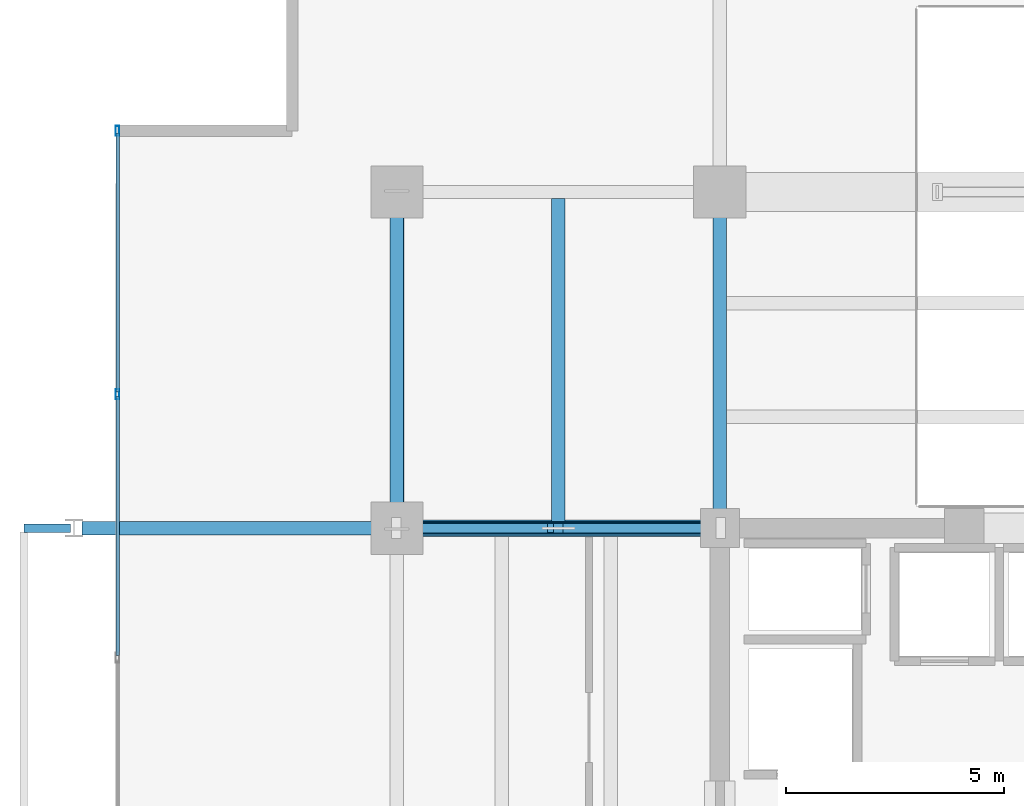
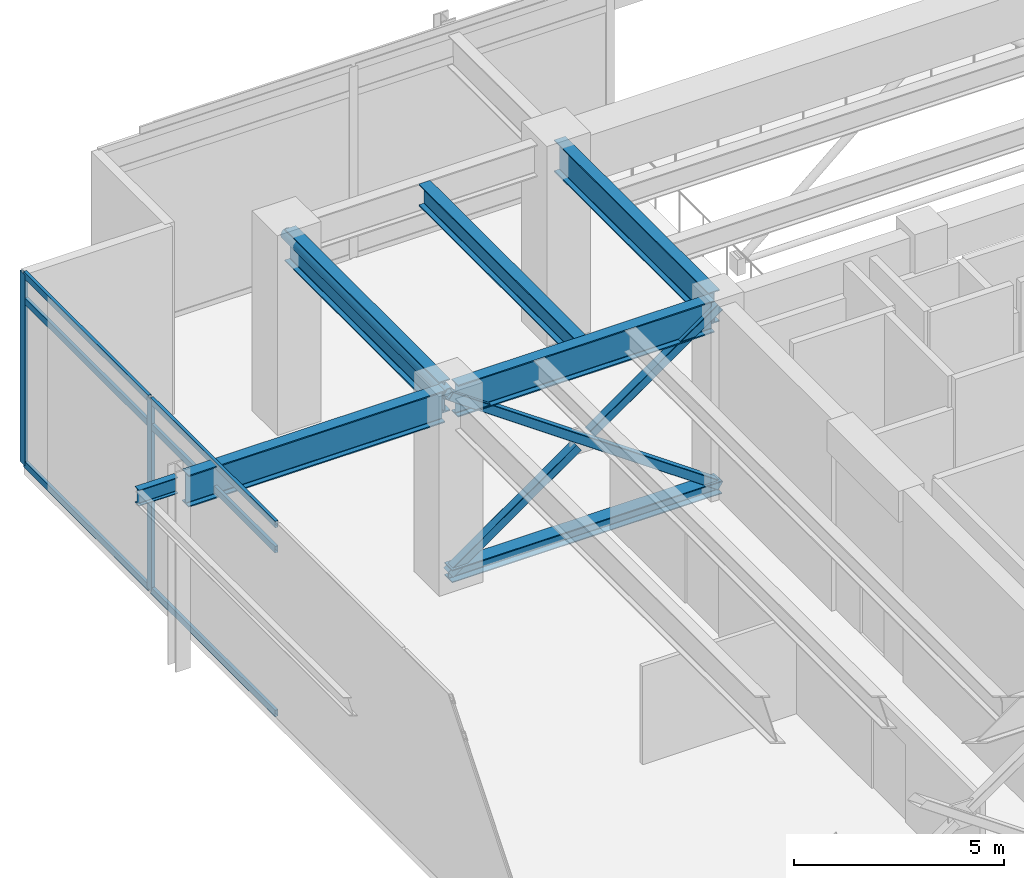
# One storey, part 12 of 26: 13 members, 6 beams, 1 element without a shape of its own.
"""IFC4 building model written with IfcOpenShell, lengths in metres."""

from ifc_helpers import new_model, si_unit, direction, frame, origin, origin_2d, place, context, subcontext, project, spatial, hollow_rectangle, hollow_circle, i_section, extrude, material, material_profile, profile_set, type_object, element, aggregate, save


model = new_model("IFC4")

# Units and contexts
model_context = context("Model", 3, precision=1e-05, world=origin(), true_north=direction((0.0, 1.0)))
body_context = subcontext(model_context, "Body", "Model", "MODEL_VIEW")
ifc_project = project(units=[si_unit("LENGTHUNIT", "METRE"), si_unit("AREAUNIT", "SQUARE_METRE"), si_unit("VOLUMEUNIT", "CUBIC_METRE"), si_unit("PLANEANGLEUNIT", "RADIAN"), si_unit("MASSUNIT", "GRAM", prefix="KILO")], contexts=[model_context])

# Site, building, storey
site_placement = place(None, origin())
site = spatial("IfcSite", under=ifc_project, at=site_placement, CompositionType="ELEMENT")
building_placement = place(site_placement, origin())
building = spatial("IfcBuilding", under=site, at=building_placement, Name="Kovane Verandah Tower", CompositionType="ELEMENT")
storey_placement = place(building_placement, frame((0.0, 0.0, 301.0)))
storey = spatial("IfcBuildingStorey", under=building, at=storey_placement, Name="L70", CompositionType="ELEMENT", Elevation=301.0)

# Beams
ifc_material_1 = material(Name="Steel S460", Category="steel")
ifc_material_profile_1 = material_profile(ifc_material_1, i_section(OverallWidth=0.311279296875, OverallDepth=0.6357421875, WebThickness=0.018310546875, FlangeThickness=0.031494140625, FilletRadius=0.0166015625, at=origin_2d()), Name="UB610x305x238")
ifc_profile_set_1 = profile_set([ifc_material_profile_1], Name="Steel S460")
beam_type_1 = type_object("IfcBeamType", Name="BM-UB610x238", PredefinedType="BEAM", material=ifc_profile_set_1)
beam_1_placement = place(storey_placement, frame((25.300048828125, 36.65185546875, 5.26708984375), z_axis=(0.0, 1.0, 0.0), x_axis=(-1.0, 0.0, 0.0)))
element("IfcBeam", 1, at=beam_1_placement, inside=storey, type_object=beam_type_1, Name="L70 Secondary Composite Joist J-NW1", PredefinedType="BEAM", context=body_context, shape_type="SweptSolid", body=[
    extrude(i_section(OverallWidth=0.311279296875, OverallDepth=0.6357421875, WebThickness=0.018310546875, FlangeThickness=0.031494140625, FilletRadius=0.0166015625, at=origin_2d()), origin(), (0.0, 0.0, 1.0), 7.396240234375),
])
ifc_material_profile_2 = material_profile(ifc_material_1, i_section(OverallWidth=0.3076171875, OverallDepth=0.926513671875, WebThickness=0.01953125, FlangeThickness=0.031982421875, FilletRadius=0.01904296875, at=origin_2d()), Name="UB914x305x289")
ifc_profile_set_2 = profile_set([ifc_material_profile_2], Name="Steel S460")
beam_type_2 = type_object("IfcBeamType", Name="BM-UB914x289", PredefinedType="BEAM", material=ifc_profile_set_2)
beam_2_placement = place(storey_placement, frame((21.60009765625, 36.679931640625, 5.12158203125), z_axis=(0.0, 1.0, 0.0), x_axis=(-1.0, 0.0, 0.0)))
element("IfcBeam", 2, at=beam_2_placement, inside=storey, type_object=beam_type_2, Name="L70 Primary Tower Girder G-RW3", PredefinedType="BEAM", context=body_context, shape_type="SweptSolid", body=[
    extrude(i_section(OverallWidth=0.3076171875, OverallDepth=0.926513671875, WebThickness=0.01953125, FlangeThickness=0.031982421875, FilletRadius=0.01904296875, at=origin_2d()), origin(), (0.0, 0.0, 1.0), 7.340087890625),
])
beam_3_placement = place(storey_placement, frame((28.820068359375, 36.5, 5.12158203125), z_axis=(-1.0, 0.0, 0.0), x_axis=(0.0, -1.0, 0.0)))
element("IfcBeam", 3, at=beam_3_placement, inside=storey, type_object=beam_type_2, Name="L70 Primary Tower Girder G-W2", PredefinedType="BEAM", context=body_context, shape_type="SweptSolid", body=[
    extrude(i_section(OverallWidth=0.3076171875, OverallDepth=0.926513671875, WebThickness=0.01953125, FlangeThickness=0.031982421875, FilletRadius=0.01904296875, at=origin_2d()), origin(), (0.0, 0.0, 1.0), 7.0400390625),
])
beam_4_placement = place(storey_placement, frame((29.0, 36.679931640625, 5.12158203125), z_axis=(0.0, 1.0, 0.0), x_axis=(-1.0, 0.0, 0.0)))
element("IfcBeam", 4, at=beam_4_placement, inside=storey, type_object=beam_type_2, Name="L70 Primary Tower Girder G-N1", PredefinedType="BEAM", context=body_context, shape_type="SweptSolid", body=[
    extrude(i_section(OverallWidth=0.3076171875, OverallDepth=0.926513671875, WebThickness=0.01953125, FlangeThickness=0.031982421875, FilletRadius=0.01904296875, at=origin_2d()), origin(), (0.0, 0.0, 1.0), 7.340087890625),
])
beam_5_placement = place(storey_placement, frame((21.419921875, 36.5, 5.0966796875), z_axis=(-1.0, 0.0, 0.0), x_axis=(0.0, -1.0, 0.0)))
element("IfcBeam", 5, at=beam_5_placement, inside=storey, type_object=beam_type_2, Name="L70 Primary Tower Girder G-VW2", PredefinedType="BEAM", context=body_context, shape_type="SweptSolid", body=[
    extrude(i_section(OverallWidth=0.3076171875, OverallDepth=0.926513671875, WebThickness=0.01953125, FlangeThickness=0.031982421875, FilletRadius=0.01904296875, at=origin_2d()), origin(), (0.0, 0.0, 1.0), 7.0400390625),
])

# Curtain wall, members
ifc_material_2 = material(Name="Champagne Anodised Aluminium Frame with Low-E Clear Laminated Glass", Category="aluminium")
curtain_wall_type = type_object("IfcCurtainWallType", Name="CW-SYS-05-HIGH", PredefinedType="NOTDEFINED", material=ifc_material_2)
curtain_wall_placement = place(storey_placement, origin())
curtain_wall = element("IfcCurtainWall", 6, at=curtain_wall_placement, inside=storey, type_object=curtain_wall_type, Name="L70 W Unitised Curtain Wall", PredefinedType="NOTDEFINED")
ifc_material_3 = material(Name="Champagne Anodised Aluminium 6063-T6", Category="aluminium")
ifc_material_profile_3 = material_profile(ifc_material_3, hollow_rectangle(XDim=0.0849609375, YDim=0.22998046875, WallThickness=0.00390625, at=origin_2d()), Name="AL85x230x4")
ifc_profile_set_3 = profile_set([ifc_material_profile_3], Name="Champagne Anodised Aluminium 6063-T6")
member_type_1 = type_object("IfcMemberType", Name="CW-MUL-85x230", PredefinedType="MULLION", material=ifc_profile_set_3)
member_1_placement = place(storey_placement, frame((15.199951171875, 45.60009765625, 0.02001953125), z_axis=(0.0, 0.0, 1.0), x_axis=(-1.0, 0.0, 0.0)))
member_1 = element("IfcMember", 7, at=member_1_placement, type_object=member_type_1, Name="L70 W Unitised Curtain Wall Mullion 1", PredefinedType="MULLION", context=body_context, shape_type="SweptSolid", body=[
    extrude(hollow_rectangle(XDim=0.0849609375, YDim=0.22998046875, WallThickness=0.00390625, at=origin_2d()), origin(), (0.0, 0.0, 1.0), 5.544921875),
])
member_2_placement = place(storey_placement, frame((15.199951171875, 39.566650390625, 0.02001953125), z_axis=(0.0, 0.0, 1.0), x_axis=(-1.0, 0.0, 0.0)))
member_2 = element("IfcMember", 8, at=member_2_placement, type_object=member_type_1, Name="L70 W Unitised Curtain Wall Mullion 2", PredefinedType="MULLION", context=body_context, shape_type="SweptSolid", body=[
    extrude(hollow_rectangle(XDim=0.0849609375, YDim=0.22998046875, WallThickness=0.00390625, at=origin_2d()), origin(), (0.0, 0.0, 1.0), 5.544921875),
])
ifc_material_profile_4 = material_profile(ifc_material_3, hollow_rectangle(XDim=0.0849609375, YDim=0.18994140625, WallThickness=0.00390625, at=origin_2d()), Name="AL85x190x4")
ifc_profile_set_4 = profile_set([ifc_material_profile_4], Name="Champagne Anodised Aluminium 6063-T6")
member_type_2 = type_object("IfcMemberType", Name="CW-TRN-85x190", PredefinedType="USERDEFINED", material=ifc_profile_set_4)
member_3_placement = place(storey_placement, frame((15.199951171875, 45.550048828125, 0.050048828125), z_axis=(0.0, -1.0, 0.0), x_axis=(1.0, 0.0, 0.0)))
member_3 = element("IfcMember", 9, at=member_3_placement, type_object=member_type_2, Name="L70 W Unitised Curtain Wall Transom TB Bay 1", ObjectType="TRANSOM", PredefinedType="USERDEFINED", context=body_context, shape_type="SweptSolid", body=[
    extrude(hollow_rectangle(XDim=0.0849609375, YDim=0.18994140625, WallThickness=0.00390625, at=origin_2d()), origin(), (0.0, 0.0, 1.0), 5.933349609375),
])
member_4_placement = place(storey_placement, frame((15.199951171875, 45.550048828125, 4.804931640625), z_axis=(0.0, -1.0, 0.0), x_axis=(1.0, 0.0, 0.0)))
member_4 = element("IfcMember", 10, at=member_4_placement, type_object=member_type_2, Name="L70 W Unitised Curtain Wall Transom TM Bay 1", ObjectType="TRANSOM", PredefinedType="USERDEFINED", context=body_context, shape_type="SweptSolid", body=[
    extrude(hollow_rectangle(XDim=0.0849609375, YDim=0.18994140625, WallThickness=0.00390625, at=origin_2d()), origin(), (0.0, 0.0, 1.0), 5.933349609375),
])
member_5_placement = place(storey_placement, frame((15.199951171875, 45.550048828125, 5.534912109375), z_axis=(0.0, -1.0, 0.0), x_axis=(1.0, 0.0, 0.0)))
member_5 = element("IfcMember", 11, at=member_5_placement, type_object=member_type_2, Name="L70 W Unitised Curtain Wall Transom TT Bay 1", ObjectType="TRANSOM", PredefinedType="USERDEFINED", context=body_context, shape_type="SweptSolid", body=[
    extrude(hollow_rectangle(XDim=0.0849609375, YDim=0.18994140625, WallThickness=0.00390625, at=origin_2d()), origin(), (0.0, 0.0, 1.0), 5.933349609375),
])
member_6_placement = place(storey_placement, frame((15.199951171875, 39.5166015625, 0.050048828125), z_axis=(0.0, -1.0, 0.0), x_axis=(1.0, 0.0, 0.0)))
member_6 = element("IfcMember", 12, at=member_6_placement, type_object=member_type_2, Name="L70 W Unitised Curtain Wall Transom TB Bay 2", ObjectType="TRANSOM", PredefinedType="USERDEFINED", context=body_context, shape_type="SweptSolid", body=[
    extrude(hollow_rectangle(XDim=0.0849609375, YDim=0.18994140625, WallThickness=0.00390625, at=origin_2d()), origin(), (0.0, 0.0, 1.0), 5.933349609375),
])
member_7_placement = place(storey_placement, frame((15.199951171875, 39.5166015625, 4.804931640625), z_axis=(0.0, -1.0, 0.0), x_axis=(1.0, 0.0, 0.0)))
member_7 = element("IfcMember", 13, at=member_7_placement, type_object=member_type_2, Name="L70 W Unitised Curtain Wall Transom TM Bay 2", ObjectType="TRANSOM", PredefinedType="USERDEFINED", context=body_context, shape_type="SweptSolid", body=[
    extrude(hollow_rectangle(XDim=0.0849609375, YDim=0.18994140625, WallThickness=0.00390625, at=origin_2d()), origin(), (0.0, 0.0, 1.0), 5.933349609375),
])
member_8_placement = place(storey_placement, frame((15.199951171875, 39.5166015625, 5.534912109375), z_axis=(0.0, -1.0, 0.0), x_axis=(1.0, 0.0, 0.0)))
member_8 = element("IfcMember", 14, at=member_8_placement, type_object=member_type_2, Name="L70 W Unitised Curtain Wall Transom TT Bay 2", ObjectType="TRANSOM", PredefinedType="USERDEFINED", context=body_context, shape_type="SweptSolid", body=[
    extrude(hollow_rectangle(XDim=0.0849609375, YDim=0.18994140625, WallThickness=0.00390625, at=origin_2d()), origin(), (0.0, 0.0, 1.0), 5.933349609375),
])
aggregate(curtain_wall, [member_1, member_2, member_3, member_4, member_5, member_6, member_7, member_8])

# Beam
ifc_material_4 = material(Name="Steel S355", Category="steel")
ifc_material_profile_5 = material_profile(ifc_material_4, i_section(OverallWidth=0.19287109375, OverallDepth=0.46728515625, WebThickness=0.011474609375, FlangeThickness=0.01953125, FilletRadius=0.01025390625, at=origin_2d()), Name="UB457x191x98")
ifc_profile_set_5 = profile_set([ifc_material_profile_5], Name="Steel S355")
beam_type_3 = type_object("IfcBeamType", Name="JST-UB457x98", PredefinedType="JOIST", material=ifc_profile_set_5)
beam_6_placement = place(storey_placement, frame((14.1201171875, 36.5, 5.326416015625), z_axis=(-1.0, 0.0, 0.0), x_axis=(0.0, -1.0, 0.0)))
element("IfcBeam", 15, at=beam_6_placement, inside=storey, type_object=beam_type_3, Name="L70 West Planter Girder 2", PredefinedType="JOIST", context=body_context, shape_type="SweptSolid", body=[
    extrude(i_section(OverallWidth=0.19287109375, OverallDepth=0.46728515625, WebThickness=0.011474609375, FlangeThickness=0.01953125, FilletRadius=0.01025390625, at=origin_2d()), origin(), (0.0, 0.0, 1.0), 1.070068359375),
])

# Members
ifc_material_profile_6 = material_profile(ifc_material_4, hollow_rectangle(XDim=0.25, YDim=0.25, WallThickness=0.012451171875, InnerFilletRadius=0.012451171875, OuterFilletRadius=0.02490234375, at=origin_2d()), Name="SHS250x250x12.5")
ifc_profile_set_6 = profile_set([ifc_material_profile_6], Name="Steel S355")
member_type_3 = type_object("IfcMemberType", Name="MEM-BR-SHS250", PredefinedType="BRACE", material=ifc_profile_set_6)
member_9_placement = place(storey_placement, frame((29.0, 36.5, 0.1201171875), z_axis=(-0.818977960496, 0.0, 0.573824973509), x_axis=(0.0, -1.0, 0.0)))
element("IfcMember", 16, at=member_9_placement, inside=storey, type_object=member_type_3, Name="L70 Outrigger Continuous Diagonal OW2", PredefinedType="BRACE", context=body_context, shape_type="SweptSolid", body=[
    extrude(hollow_rectangle(XDim=0.25, YDim=0.25, WallThickness=0.012451171875, InnerFilletRadius=0.012451171875, OuterFilletRadius=0.02490234375, at=origin_2d()), origin(), (0.0, 0.0, 1.0), 9.03564453125),
])
member_10_placement = place(storey_placement, frame((21.60009765625, 36.5, 0.1201171875), z_axis=(0.818988986866, 0.0, 0.573809236064), x_axis=(0.0, 1.0, 0.0)))
element("IfcMember", 17, at=member_10_placement, inside=storey, type_object=member_type_3, Name="L70 Outrigger Split Diagonal Lower OW2", PredefinedType="BRACE", context=body_context, shape_type="SweptSolid", body=[
    extrude(hollow_rectangle(XDim=0.25, YDim=0.25, WallThickness=0.012451171875, InnerFilletRadius=0.012451171875, OuterFilletRadius=0.02490234375, at=origin_2d()), origin(), (0.0, 0.0, 1.0), 4.297607421875),
])
member_11_placement = place(storey_placement, frame((25.480224609375, 36.5, 2.838623046875), z_axis=(0.818962290692, 0.0, 0.573847337211), x_axis=(0.0, 1.0, 0.0)))
element("IfcMember", 18, at=member_11_placement, inside=storey, type_object=member_type_3, Name="L70 Outrigger Split Diagonal Upper OW2", PredefinedType="BRACE", context=body_context, shape_type="SweptSolid", body=[
    extrude(hollow_rectangle(XDim=0.25, YDim=0.25, WallThickness=0.012451171875, InnerFilletRadius=0.012451171875, OuterFilletRadius=0.02490234375, at=origin_2d()), origin(), (0.0, 0.0, 1.0), 4.2978515625),
])
ifc_material_profile_7 = material_profile(ifc_material_4, i_section(OverallWidth=0.374755859375, OverallDepth=0.37451171875, WebThickness=0.0166015625, FlangeThickness=0.027099609375, FilletRadius=0.01513671875, at=origin_2d()), Name="UC356x368x202")
ifc_profile_set_7 = profile_set([ifc_material_profile_7], Name="Steel S355")
member_type_4 = type_object("IfcMemberType", Name="MEM-CHORD-UC202", PredefinedType="CHORD", material=ifc_profile_set_7)
member_12_placement = place(storey_placement, frame((29.0, 36.5, 0.1201171875), z_axis=(-1.0, 0.0, 0.0), x_axis=(0.0, -1.0, 0.0)))
element("IfcMember", 19, at=member_12_placement, inside=storey, type_object=member_type_4, Name="L70 Outrigger Bottom Chord OW2", PredefinedType="CHORD", context=body_context, shape_type="SweptSolid", body=[
    extrude(i_section(OverallWidth=0.374755859375, OverallDepth=0.37451171875, WebThickness=0.0166015625, FlangeThickness=0.027099609375, FilletRadius=0.01513671875, at=origin_2d()), origin(), (0.0, 0.0, 1.0), 7.39990234375),
])
ifc_material_profile_8 = material_profile(ifc_material_1, hollow_circle(Radius=0.161865234375, WallThickness=0.012451171875, at=origin_2d()), Name="CHS323.9x12.5")
ifc_profile_set_8 = profile_set([ifc_material_profile_8], Name="Steel S460")
member_type_5 = type_object("IfcMemberType", Name="MEM-STRUT-CHS324", PredefinedType="STRUT", material=ifc_profile_set_8)
member_13_placement = place(storey_placement, frame((21.60009765625, 36.5, 5.304931640625), z_axis=(0.0, 1.0, 0.0), x_axis=(-1.0, 0.0, 0.0)))
element("IfcMember", 20, at=member_13_placement, inside=storey, type_object=member_type_5, Name="L70 Belt-Truss Ring Chord BW2", PredefinedType="STRUT", context=body_context, shape_type="SweptSolid", body=[
    extrude(hollow_circle(Radius=0.161865234375, WallThickness=0.012451171875, at=origin_2d()), origin(), (0.0, 0.0, 1.0), 7.699951171875),
])

save(model, "model.ifc")
